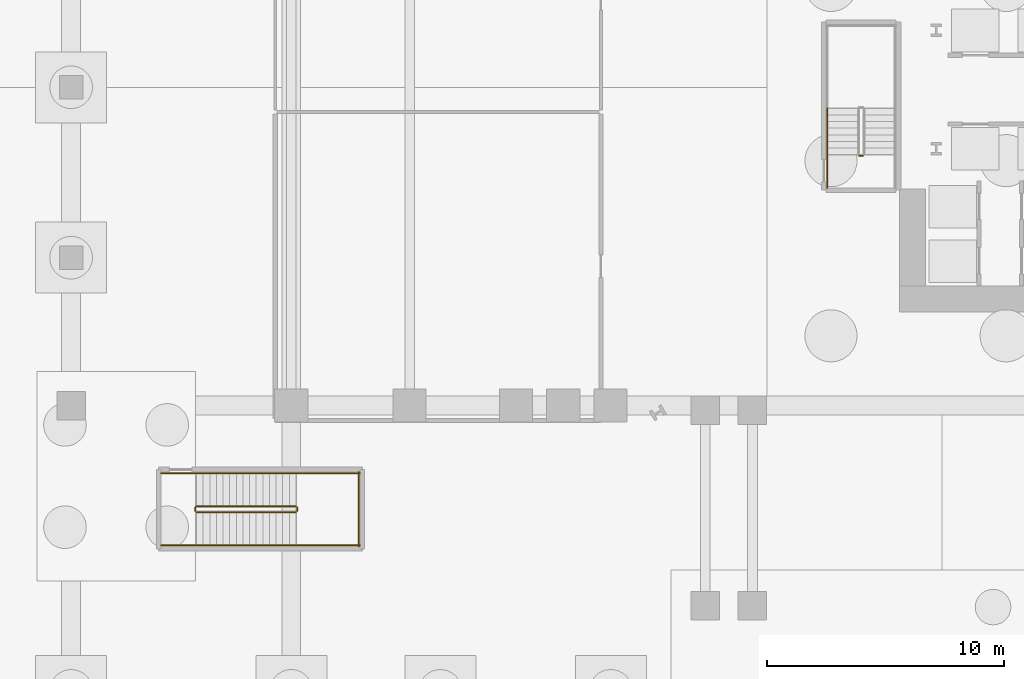
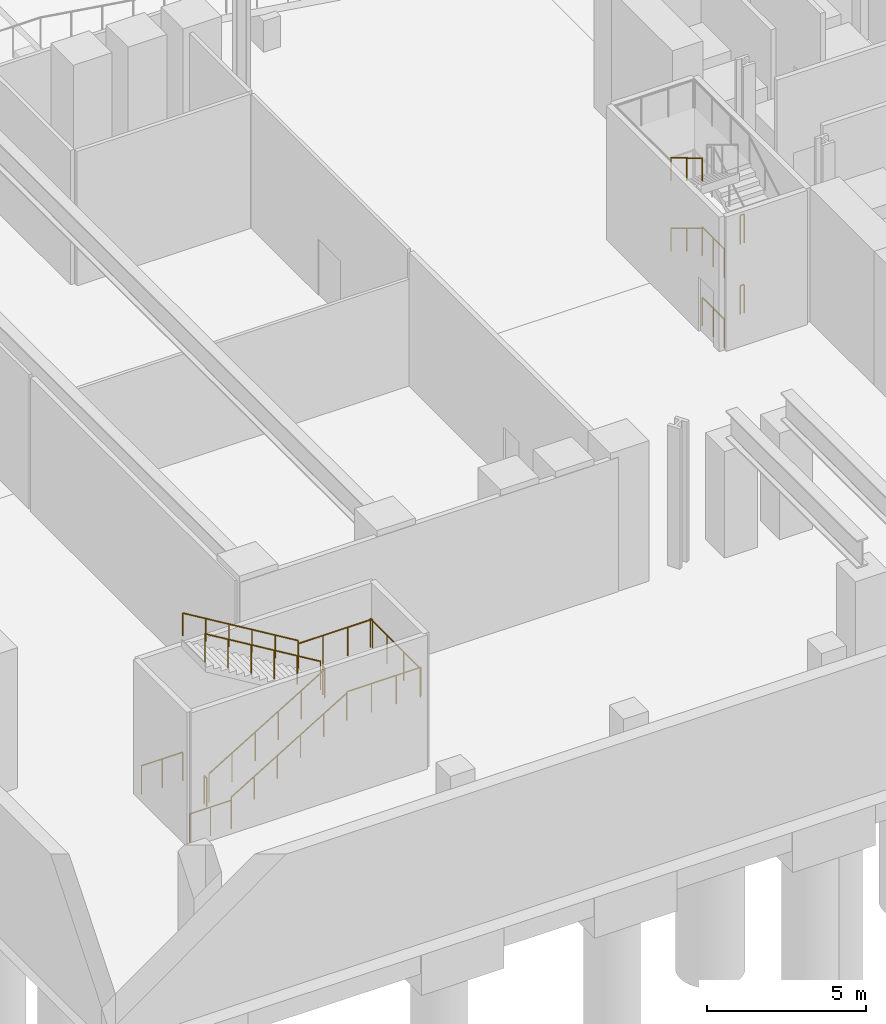
# One storey, part 10 of 16: 17 railings.
"""IFC4 building model written with IfcOpenShell, lengths in metres."""

from ifc_helpers import new_model, si_unit, direction, frame, origin, origin_2d, place, context, subcontext, project, spatial, circle, extrude, material, type_object, element, save


model = new_model("IFC4")

# Units and contexts
model_context = context("Model", 3, precision=1e-05, world=origin(), true_north=direction((0.0, 1.0)))
body_context = subcontext(model_context, "Body", "Model", "MODEL_VIEW")
ifc_project = project(units=[si_unit("LENGTHUNIT", "METRE"), si_unit("AREAUNIT", "SQUARE_METRE"), si_unit("VOLUMEUNIT", "CUBIC_METRE"), si_unit("PLANEANGLEUNIT", "RADIAN"), si_unit("MASSUNIT", "GRAM", prefix="KILO")], contexts=[model_context])

# Site, building, storey
site_placement = place(None, origin())
site = spatial("IfcSite", under=ifc_project, at=site_placement, CompositionType="ELEMENT")
building_placement = place(site_placement, origin())
building = spatial("IfcBuilding", under=site, at=building_placement, Name="Valkerne Bourse Tower", CompositionType="ELEMENT")
storey_placement = place(building_placement, frame((0.0, 0.0, -5.39990234375)))
storey = spatial("IfcBuildingStorey", under=building, at=storey_placement, Name="B1", CompositionType="ELEMENT", Elevation=-5.39990234375)

# Railings
ifc_material_1 = material(Name="Galvanised Painted Steel", Category="steel")
railing_type_1 = type_object("IfcRailingType", Name="RLG-ST-GUARD-1120", PredefinedType="GUARDRAIL", material=ifc_material_1)
railing_1_placement = place(storey_placement, frame((35.64990234375, 24.10009765625, 2.699951171875)))
element("IfcRailing", 1, at=railing_1_placement, inside=storey, type_object=railing_type_1, Name="B1 ST-3 stair guard 7", PredefinedType="GUARDRAIL", context=body_context, shape_type="SweptSolid", body=[
    extrude(circle(Radius=0.02392578125, at=origin_2d()), frame((0.0, 0.0, 1.09619140625), z_axis=(-1.0, 0.0, 0.0), x_axis=(0.0, -1.0, 0.0)), (0.0, 0.0, 1.0), 0.14990234375),
    extrude(circle(Radius=0.02099609375, at=origin_2d()), origin(), (0.0, 0.0, 1.0), 1.072021484375),
    extrude(circle(Radius=0.02099609375, at=origin_2d()), frame((-0.14990234375, 0.0, 0.0)), (0.0, 0.0, 1.0), 1.072021484375),
])
railing_2_placement = place(storey_placement, frame((34.14990234375, 22.75, 2.699951171875)))
element("IfcRailing", 2, at=railing_2_placement, inside=storey, type_object=railing_type_1, Name="B1 ST-3 stair guard 9", PredefinedType="GUARDRAIL", context=body_context, shape_type="SweptSolid", body=[
    extrude(circle(Radius=0.02392578125, at=origin_2d()), frame((0.0, 0.0, 1.09619140625), z_axis=(0.0, 1.0, 0.0), x_axis=(-1.0, 0.0, 0.0)), (0.0, 0.0, 1.0), 1.39990234375),
    extrude(circle(Radius=0.02099609375, at=origin_2d()), origin(), (0.0, 0.0, 1.0), 1.072021484375),
    extrude(circle(Radius=0.02099609375, at=origin_2d()), frame((0.0, 0.699951171875, 0.0)), (0.0, 0.0, 1.0), 1.072021484375),
    extrude(circle(Radius=0.02099609375, at=origin_2d()), frame((0.0, 1.39990234375, 0.0)), (0.0, 0.0, 1.0), 1.072021484375),
])
railing_3_placement = place(storey_placement, frame((35.64990234375, 24.10009765625, 0.0)))
element("IfcRailing", 3, at=railing_3_placement, inside=storey, type_object=railing_type_1, Name="B1 ST-3 stair guard 16", PredefinedType="GUARDRAIL", context=body_context, shape_type="SweptSolid", body=[
    extrude(circle(Radius=0.02392578125, at=origin_2d()), frame((0.0, 0.0, 1.09619140625), z_axis=(-1.0, 0.0, 0.0), x_axis=(0.0, -1.0, 0.0)), (0.0, 0.0, 1.0), 0.14990234375),
    extrude(circle(Radius=0.02099609375, at=origin_2d()), origin(), (0.0, 0.0, 1.0), 1.072021484375),
    extrude(circle(Radius=0.02099609375, at=origin_2d()), frame((-0.14990234375, 0.0, 0.0)), (0.0, 0.0, 1.0), 1.072021484375),
])
railing_4_placement = place(storey_placement, frame((34.14990234375, 22.75, 0.0)))
element("IfcRailing", 4, at=railing_4_placement, inside=storey, type_object=railing_type_1, Name="B1 ST-3 stair guard 18", PredefinedType="GUARDRAIL", context=body_context, shape_type="SweptSolid", body=[
    extrude(circle(Radius=0.02392578125, at=origin_2d()), frame((0.0, 0.0, 1.09619140625), z_axis=(0.0, 1.0, 0.0), x_axis=(-1.0, 0.0, 0.0)), (0.0, 0.0, 1.0), 1.39990234375),
    extrude(circle(Radius=0.02099609375, at=origin_2d()), origin(), (0.0, 0.0, 1.0), 1.072021484375),
    extrude(circle(Radius=0.02099609375, at=origin_2d()), frame((0.0, 0.699951171875, 0.0)), (0.0, 0.0, 1.0), 1.072021484375),
    extrude(circle(Radius=0.02099609375, at=origin_2d()), frame((0.0, 1.39990234375, 0.0)), (0.0, 0.0, 1.0), 1.072021484375),
])
railing_5_placement = place(storey_placement, frame((7.5, 9.050048828125, 0.168701171875)))
element("IfcRailing", 5, at=railing_5_placement, inside=storey, type_object=railing_type_1, Name="B1 ST-P1 stair guard 1", PredefinedType="GUARDRAIL", context=body_context, shape_type="SweptSolid", body=[
    extrude(circle(Radius=0.02392578125, at=origin_2d()), frame((0.0, 0.0, 1.09619140625), z_axis=(0.856476492594, 0.0, 0.516186030065), x_axis=(0.0, 1.0, 0.0)), (0.0, 0.0, 1.0), 4.90380859375),
    extrude(circle(Radius=0.02099609375, at=origin_2d()), origin(), (0.0, 0.0, 1.0), 1.072021484375),
    extrude(circle(Radius=0.02099609375, at=origin_2d()), frame((0.840087890625, 0.0, 0.50634765625)), (0.0, 0.0, 1.0), 1.072021484375),
    extrude(circle(Radius=0.02099609375, at=origin_2d()), frame((1.679931640625, 0.0, 1.012451171875)), (0.0, 0.0, 1.0), 1.072021484375),
    extrude(circle(Radius=0.02099609375, at=origin_2d()), frame((2.52001953125, 0.0, 1.518798828125)), (0.0, 0.0, 1.0), 1.072021484375),
    extrude(circle(Radius=0.02099609375, at=origin_2d()), frame((3.35986328125, 0.0, 2.02490234375)), (0.0, 0.0, 1.0), 1.072021484375),
    extrude(circle(Radius=0.02099609375, at=origin_2d()), frame((4.199951171875, 0.0, 2.53125)), (0.0, 0.0, 1.0), 1.072021484375),
])
railing_6_placement = place(storey_placement, frame((11.75, 9.10009765625, 2.699951171875)))
element("IfcRailing", 6, at=railing_6_placement, inside=storey, type_object=railing_type_1, Name="B1 ST-P1 stair guard 2", PredefinedType="GUARDRAIL", context=body_context, shape_type="SweptSolid", body=[
    extrude(circle(Radius=0.02392578125, at=origin_2d()), frame((0.0, 0.0, 1.09619140625), z_axis=(0.0, 1.0, 0.0), x_axis=(-1.0, 0.0, 0.0)), (0.0, 0.0, 1.0), 0.14990234375),
    extrude(circle(Radius=0.02099609375, at=origin_2d()), origin(), (0.0, 0.0, 1.0), 1.072021484375),
    extrude(circle(Radius=0.02099609375, at=origin_2d()), frame((0.0, 0.14990234375, 0.0)), (0.0, 0.0, 1.0), 1.072021484375),
])
for number, where, name in (
    (7, (11.699951171875, 7.64990234375, 2.699951171875), "B1 ST-P1 stair guard 3"),
    (8, (11.699951171875, 10.699951171875, 2.699951171875), "B1 ST-P1 stair guard 4"),
):
    element("IfcRailing", number, at=place(storey_placement, frame(where)), inside=storey, type_object=railing_type_1, Name=name, PredefinedType="GUARDRAIL", context=body_context, shape_type="SweptSolid", body=[
        extrude(circle(Radius=0.02392578125, at=origin_2d()), frame((0.0, 0.0, 1.09619140625), z_axis=(1.0, 0.0, 0.0), x_axis=(0.0, 1.0, 0.0)), (0.0, 0.0, 1.0), 2.699951171875),
        extrude(circle(Radius=0.02099609375, at=origin_2d()), origin(), (0.0, 0.0, 1.0), 1.072021484375),
        extrude(circle(Radius=0.02099609375, at=origin_2d()), frame((0.89990234375, 0.0, 0.0)), (0.0, 0.0, 1.0), 1.072021484375),
        extrude(circle(Radius=0.02099609375, at=origin_2d()), frame((1.800048828125, 0.0, 0.0)), (0.0, 0.0, 1.0), 1.072021484375),
        extrude(circle(Radius=0.02099609375, at=origin_2d()), frame((2.699951171875, 0.0, 0.0)), (0.0, 0.0, 1.0), 1.072021484375),
    ])
railing_7_placement = place(storey_placement, frame((14.35009765625, 7.60009765625, 2.699951171875)))
element("IfcRailing", 9, at=railing_7_placement, inside=storey, type_object=railing_type_1, Name="B1 ST-P1 stair guard 5", PredefinedType="GUARDRAIL", context=body_context, shape_type="SweptSolid", body=[
    extrude(circle(Radius=0.02392578125, at=origin_2d()), frame((0.0, 0.0, 1.09619140625), z_axis=(0.0, 1.0, 0.0), x_axis=(-1.0, 0.0, 0.0)), (0.0, 0.0, 1.0), 3.14990234375),
    extrude(circle(Radius=0.02099609375, at=origin_2d()), origin(), (0.0, 0.0, 1.0), 1.072021484375),
    extrude(circle(Radius=0.02099609375, at=origin_2d()), frame((0.0, 1.050048828125, 0.0)), (0.0, 0.0, 1.0), 1.072021484375),
    extrude(circle(Radius=0.02099609375, at=origin_2d()), frame((0.0, 2.099853515625, 0.0)), (0.0, 0.0, 1.0), 1.072021484375),
    extrude(circle(Radius=0.02099609375, at=origin_2d()), frame((0.0, 3.14990234375, 0.0)), (0.0, 0.0, 1.0), 1.072021484375),
])
railing_8_placement = place(storey_placement, frame((11.699951171875, 9.300048828125, 2.86865234375)))
element("IfcRailing", 10, at=railing_8_placement, inside=storey, type_object=railing_type_1, Name="B1 ST-P1 stair guard 6", PredefinedType="GUARDRAIL", context=body_context, shape_type="SweptSolid", body=[
    extrude(circle(Radius=0.02392578125, at=origin_2d()), frame((0.0, 0.0, 1.09619140625), z_axis=(-0.856476492594, 0.0, 0.516186030065), x_axis=(0.0, -1.0, 0.0)), (0.0, 0.0, 1.0), 4.90380859375),
    extrude(circle(Radius=0.02099609375, at=origin_2d()), origin(), (0.0, 0.0, 1.0), 1.072021484375),
    extrude(circle(Radius=0.02099609375, at=origin_2d()), frame((-0.840087890625, 0.0, 0.50634765625)), (0.0, 0.0, 1.0), 1.072021484375),
    extrude(circle(Radius=0.02099609375, at=origin_2d()), frame((-1.679931640625, 0.0, 1.012451171875)), (0.0, 0.0, 1.0), 1.072021484375),
    extrude(circle(Radius=0.02099609375, at=origin_2d()), frame((-2.52001953125, 0.0, 1.518798828125)), (0.0, 0.0, 1.0), 1.072021484375),
    extrude(circle(Radius=0.02099609375, at=origin_2d()), frame((-3.35986328125, 0.0, 2.02490234375)), (0.0, 0.0, 1.0), 1.072021484375),
    extrude(circle(Radius=0.02099609375, at=origin_2d()), frame((-4.199951171875, 0.0, 2.53125)), (0.0, 0.0, 1.0), 1.072021484375),
])
railing_9_placement = place(storey_placement, frame((7.449951171875, 9.10009765625, 0.0)))
element("IfcRailing", 11, at=railing_9_placement, inside=storey, type_object=railing_type_1, Name="B1 ST-P1 stair guard 7", PredefinedType="GUARDRAIL", context=body_context, shape_type="SweptSolid", body=[
    extrude(circle(Radius=0.02392578125, at=origin_2d()), frame((0.0, 0.0, 1.09619140625), z_axis=(0.0, 1.0, 0.0), x_axis=(-1.0, 0.0, 0.0)), (0.0, 0.0, 1.0), 0.14990234375),
    extrude(circle(Radius=0.02099609375, at=origin_2d()), origin(), (0.0, 0.0, 1.0), 1.072021484375),
    extrude(circle(Radius=0.02099609375, at=origin_2d()), frame((0.0, 0.14990234375, 0.0)), (0.0, 0.0, 1.0), 1.072021484375),
])
for number, where, name in (
    (12, (6.0, 7.64990234375, 0.0), "B1 ST-P1 stair guard 8"),
    (13, (6.0, 10.699951171875, 0.0), "B1 ST-P1 stair guard 9"),
):
    element("IfcRailing", number, at=place(storey_placement, frame(where)), inside=storey, type_object=railing_type_1, Name=name, PredefinedType="GUARDRAIL", context=body_context, shape_type="SweptSolid", body=[
        extrude(circle(Radius=0.02392578125, at=origin_2d()), frame((0.0, 0.0, 1.09619140625), z_axis=(1.0, 0.0, 0.0), x_axis=(0.0, 1.0, 0.0)), (0.0, 0.0, 1.0), 1.5),
        extrude(circle(Radius=0.02099609375, at=origin_2d()), origin(), (0.0, 0.0, 1.0), 1.072021484375),
        extrude(circle(Radius=0.02099609375, at=origin_2d()), frame((0.75, 0.0, 0.0)), (0.0, 0.0, 1.0), 1.072021484375),
        extrude(circle(Radius=0.02099609375, at=origin_2d()), frame((1.5, 0.0, 0.0)), (0.0, 0.0, 1.0), 1.072021484375),
    ])
ifc_material_2 = material(Name="Stainless Steel AISI 316", Category="steel")
railing_type_2 = type_object("IfcRailingType", Name="RLG-ST-HANDRAIL-900", PredefinedType="HANDRAIL", material=ifc_material_2)
for number, where, name in (
    (14, (34.14990234375, 26.110107421875, 1.6875), "B1 ST-3 stair handrail 2"),
    (15, (34.14990234375, 26.110107421875, 4.387451171875), "B1 ST-3 stair handrail 4"),
):
    element("IfcRailing", number, at=place(storey_placement, frame(where)), inside=storey, type_object=railing_type_2, Name=name, PredefinedType="HANDRAIL", context=body_context, shape_type="SweptSolid", body=[
        extrude(circle(Radius=0.02392578125, at=origin_2d()), frame((0.0, 0.0, 0.8759765625), z_axis=(0.0, -0.856521883693, 0.516110707847), x_axis=(1.0, 0.0, 0.0)), (0.0, 0.0, 1.0), 2.28857421875),
        extrude(circle(Radius=0.02099609375, at=origin_2d()), origin(), (0.0, 0.0, 1.0), 0.851806640625),
        extrude(circle(Radius=0.02099609375, at=origin_2d()), frame((0.0, -0.97998046875, 0.590576171875)), (0.0, 0.0, 1.0), 0.851806640625),
        extrude(circle(Radius=0.02099609375, at=origin_2d()), frame((0.0, -1.960205078125, 1.18115234375)), (0.0, 0.0, 1.0), 0.851806640625),
    ])
railing_10_placement = place(storey_placement, frame((7.5, 7.64990234375, 0.33740234375)))
element("IfcRailing", 16, at=railing_10_placement, inside=storey, type_object=railing_type_2, Name="B1 ST-P1 stair handrail 1", PredefinedType="HANDRAIL", context=body_context, shape_type="SweptSolid", body=[
    extrude(circle(Radius=0.02392578125, at=origin_2d()), frame((0.0, 0.0, 0.8759765625), z_axis=(0.856476492594, 0.0, 0.516186030065), x_axis=(0.0, 1.0, 0.0)), (0.0, 0.0, 1.0), 4.90380859375),
    extrude(circle(Radius=0.02099609375, at=origin_2d()), origin(), (0.0, 0.0, 1.0), 0.851806640625),
    extrude(circle(Radius=0.02099609375, at=origin_2d()), frame((0.840087890625, 0.0, 0.50634765625)), (0.0, 0.0, 1.0), 0.851806640625),
    extrude(circle(Radius=0.02099609375, at=origin_2d()), frame((1.679931640625, 0.0, 1.012451171875)), (0.0, 0.0, 1.0), 0.851806640625),
    extrude(circle(Radius=0.02099609375, at=origin_2d()), frame((2.52001953125, 0.0, 1.518798828125)), (0.0, 0.0, 1.0), 0.851806640625),
    extrude(circle(Radius=0.02099609375, at=origin_2d()), frame((3.35986328125, 0.0, 2.02490234375)), (0.0, 0.0, 1.0), 0.851806640625),
    extrude(circle(Radius=0.02099609375, at=origin_2d()), frame((4.199951171875, 0.0, 2.53125)), (0.0, 0.0, 1.0), 0.851806640625),
])
railing_11_placement = place(storey_placement, frame((11.699951171875, 10.699951171875, 3.037353515625)))
element("IfcRailing", 17, at=railing_11_placement, inside=storey, type_object=railing_type_2, Name="B1 ST-P1 stair handrail 2", PredefinedType="HANDRAIL", context=body_context, shape_type="SweptSolid", body=[
    extrude(circle(Radius=0.02392578125, at=origin_2d()), frame((0.0, 0.0, 0.8759765625), z_axis=(-0.856476492594, 0.0, 0.516186030065), x_axis=(0.0, -1.0, 0.0)), (0.0, 0.0, 1.0), 4.90380859375),
    extrude(circle(Radius=0.02099609375, at=origin_2d()), origin(), (0.0, 0.0, 1.0), 0.851806640625),
    extrude(circle(Radius=0.02099609375, at=origin_2d()), frame((-0.840087890625, 0.0, 0.50634765625)), (0.0, 0.0, 1.0), 0.851806640625),
    extrude(circle(Radius=0.02099609375, at=origin_2d()), frame((-1.679931640625, 0.0, 1.012451171875)), (0.0, 0.0, 1.0), 0.851806640625),
    extrude(circle(Radius=0.02099609375, at=origin_2d()), frame((-2.52001953125, 0.0, 1.518798828125)), (0.0, 0.0, 1.0), 0.851806640625),
    extrude(circle(Radius=0.02099609375, at=origin_2d()), frame((-3.35986328125, 0.0, 2.02490234375)), (0.0, 0.0, 1.0), 0.851806640625),
    extrude(circle(Radius=0.02099609375, at=origin_2d()), frame((-4.199951171875, 0.0, 2.53125)), (0.0, 0.0, 1.0), 0.851806640625),
])

save(model, "model.ifc")
